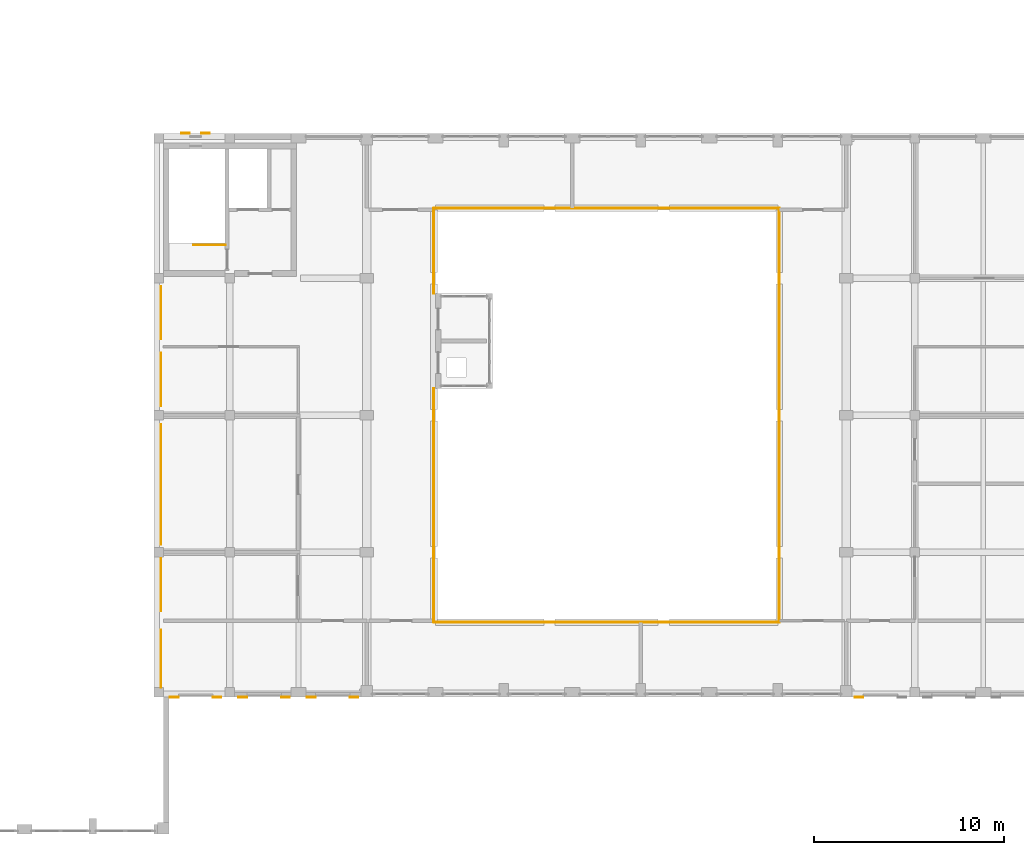
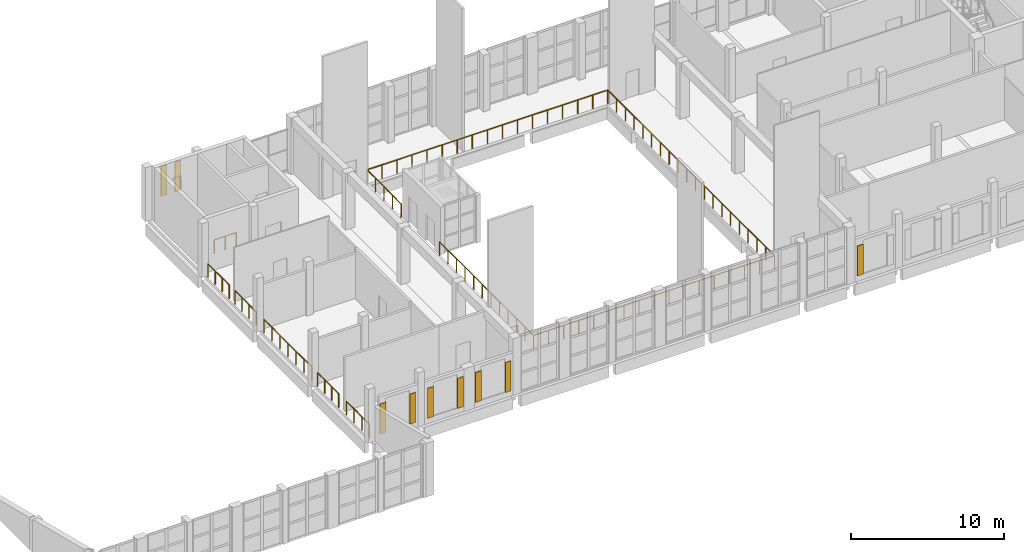
# One storey, part 31 of 54: 11 railings, 9 shading devices.
"""IFC4 building model written with IfcOpenShell, lengths in metres."""

import ifcopenshell
import ifcopenshell.guid

model = None  # the IFC model being written
_history = None  # IfcOwnerHistory: only IFC2X3 demands one
_inside = {}  # id of a spatial element -> (the spatial element, [elements in it])
_under = {}  # id of a project, library or spatial element -> (it, [spatial elements below it])
_declared = {}  # id of a project -> (the project, [libraries it declares])
_typed = {}  # id of a type object -> (the type object, [elements of that type])
_made_of = {}  # id of a material, layer set ... -> (it, [elements and type objects made of it])


def new_model(schema):
    """Start an empty IFC model of exactly this schema.

    Asked for "IFC4X3", IfcOpenShell would pick the latest addendum, in which some entities
    have other attributes; the version numbers below select the first issue.
    IFC2X3 requires an IfcOwnerHistory on every rooted entity: one is made here for all.
    """
    global model, _history
    if schema == "IFC4X3":
        model = ifcopenshell.file(schema_version=(4, 3, 0, 0))
    else:
        model = ifcopenshell.file(schema=schema)
    _inside.clear()
    _under.clear()
    _declared.clear()
    _typed.clear()
    _made_of.clear()
    _history = None
    if model.schema == "IFC2X3":
        org = make("IfcOrganization", Name="unknown")
        user = make(
            "IfcPersonAndOrganization",
            ThePerson=make("IfcPerson", FamilyName="unknown"),
            TheOrganization=org,
        )
        app = make(
            "IfcApplication",
            ApplicationDeveloper=org,
            Version="unknown",
            ApplicationFullName="unknown",
            ApplicationIdentifier="unknown",
        )
        _history = make(
            "IfcOwnerHistory",
            OwningUser=user,
            OwningApplication=app,
            ChangeAction="ADDED",
            CreationDate=0,
        )
    return model


def make(cls, **values):
    """One entity of the class cls with the attributes given. An attribute that is None is left unset."""
    return model.create_entity(
        cls, **{name: value for name, value in values.items() if value is not None}
    )


def rooted(cls, **values):
    """An entity with a GlobalId (a new one), such as an element, a storey or a relation."""
    return make(cls, GlobalId=ifcopenshell.guid.new(), OwnerHistory=_history, **values)


def si_unit(unit_type, name, prefix=None):
    """IfcSIUnit, for example si_unit("LENGTHUNIT", "METRE", prefix="MILLI")."""
    return make("IfcSIUnit", UnitType=unit_type, Prefix=prefix, Name=name)


def assignment(units):
    """IfcUnitAssignment: the units of a project."""
    return None if units is None else make("IfcUnitAssignment", Units=units)


def point(xyz):
    """IfcCartesianPoint."""
    return None if xyz is None else make("IfcCartesianPoint", Coordinates=xyz)


def direction(xyz):
    """IfcDirection."""
    return None if xyz is None else make("IfcDirection", DirectionRatios=xyz)


def frame(location, z_axis=None, x_axis=None):
    """IfcAxis2Placement3D, a coordinate frame: its origin and axes. An axis left out is left unset."""
    return make(
        "IfcAxis2Placement3D",
        Location=point(location),
        Axis=direction(z_axis),
        RefDirection=direction(x_axis),
    )


def frame_2d(location, x_axis=None):
    """IfcAxis2Placement2D, a coordinate frame in the plane: its origin and x axis."""
    return make(
        "IfcAxis2Placement2D", Location=point(location), RefDirection=direction(x_axis)
    )


def origin():
    """The frame at (0, 0, 0) with its axes left unset."""
    return frame((0.0, 0.0, 0.0))


def origin_2d():
    """The frame at (0, 0) in the plane with its x axis left unset."""
    return frame_2d((0.0, 0.0))


def place(relative_to, where):
    """IfcLocalPlacement: puts the frame where relative to a parent placement (None: the world)."""
    return make(
        "IfcLocalPlacement", PlacementRelTo=relative_to, RelativePlacement=where
    )


def context(
    kind, dimensions, precision=None, world=None, true_north=None, identifier=None
):
    """IfcGeometricRepresentationContext, for example the 3D "Model" context."""
    return make(
        "IfcGeometricRepresentationContext",
        ContextIdentifier=identifier,
        ContextType=kind,
        CoordinateSpaceDimension=dimensions,
        Precision=precision,
        WorldCoordinateSystem=world,
        TrueNorth=true_north,
    )


def subcontext(parent, identifier, kind, view, scale=None):
    """IfcGeometricRepresentationSubContext, for example "Body" below "Model"."""
    return make(
        "IfcGeometricRepresentationSubContext",
        ContextIdentifier=identifier,
        ContextType=kind,
        ParentContext=parent,
        TargetScale=scale,
        TargetView=view,
    )


def project(units=None, contexts=None):
    """IfcProject with its units and contexts."""
    return rooted(
        "IfcProject",
        Name="project",
        RepresentationContexts=contexts,
        UnitsInContext=assignment(units),
    )


def spatial(cls, under=None, at=None, **own):
    """A site, building, storey or space (cls), placed at a placement, below another one or the project."""
    s = rooted(cls, ObjectPlacement=at, **own)
    if under is not None:
        _under.setdefault(under.id(), (under, []))[1].append(s)
    return s


def profile(cls, at=None, kind="AREA", **sizes):
    """A parametric profile (cls). Its sizes go by their IFC names, for example OverallWidth=200.0."""
    return make(cls, ProfileType=kind, Position=at, **sizes)


def rectangle(**sizes):
    """IfcRectangleProfileDef."""
    return profile("IfcRectangleProfileDef", **sizes)


def circle(**sizes):
    """IfcCircleProfileDef."""
    return profile("IfcCircleProfileDef", **sizes)


def extrude(swept, where, along, depth):
    """IfcExtrudedAreaSolid: the profile swept, set in the frame where, extruded along a direction by depth."""
    return make(
        "IfcExtrudedAreaSolid",
        SweptArea=swept,
        Position=where,
        ExtrudedDirection=direction(along),
        Depth=depth,
    )


def shape(context_of_items, identifier, shape_type, items):
    """IfcShapeRepresentation: the items that make up one representation, for example the "Body"."""
    return make(
        "IfcShapeRepresentation",
        ContextOfItems=context_of_items,
        RepresentationIdentifier=identifier,
        RepresentationType=shape_type,
        Items=items,
    )


def material(Name=None, Category=None):
    """IfcMaterial."""
    return make("IfcMaterial", Name=Name, Category=Category)


def layer(
    of_material, thickness, ventilated=None, Name=None, Category=None, Priority=None
):
    """IfcMaterialLayer: one layer of a wall or slab, of a material (None: an air gap)."""
    return make(
        "IfcMaterialLayer",
        Material=of_material,
        LayerThickness=thickness,
        IsVentilated=ventilated,
        Name=Name,
        Category=Category,
        Priority=Priority,
    )


def layer_set(layers, Name=None):
    """IfcMaterialLayerSet."""
    return make("IfcMaterialLayerSet", MaterialLayers=layers, LayerSetName=Name)


def made_of(thing, what):
    """Note that an element or type object is made of a material, layer set ...; save() writes the relation."""
    if what is not None:
        _made_of.setdefault(what.id(), (what, []))[1].append(thing)
    return thing


def type_object(cls, material=None, **own):
    """A type object (cls), such as IfcWallType, which elements share."""
    return made_of(rooted(cls, **own), material)


def element(
    cls,
    number,
    at=None,
    inside=None,
    cuts=None,
    type_object=None,
    material=None,
    context=None,
    identifier="Body",
    shape_type=None,
    held_by="IfcProductDefinitionShape",
    body=None,
    shapes=None,
    **own,
):
    """One element of the class cls, such as IfcWall. Its Tag is "e" and its number.

    at: its placement. inside: the storey or other place that contains it. cuts: it is an
    opening in that element (IfcRelVoidsElement). A single representation is given by context,
    identifier, shape_type and body (its items); several are given by shapes. held_by: the class
    of the entity that holds the representations. save() writes the other relations.
    """
    e = rooted(cls, Tag="e%d" % number, ObjectPlacement=at, **own)
    if body is not None:
        shapes = [shape(context, identifier, shape_type, body)]
    if shapes is not None:
        e.Representation = make(held_by, Representations=shapes)
    if inside is not None:
        _inside.setdefault(inside.id(), (inside, []))[1].append(e)
    if cuts is not None:
        rooted(
            "IfcRelVoidsElement", RelatingBuildingElement=cuts, RelatedOpeningElement=e
        )
    if type_object is not None:
        _typed.setdefault(type_object.id(), (type_object, []))[1].append(e)
    return made_of(e, material)


def aggregate(whole, parts):
    """IfcRelAggregates: a whole, such as a stair, and the parts it consists of."""
    return rooted("IfcRelAggregates", RelatingObject=whole, RelatedObjects=parts)


def save(model, path):
    """Write the relations noted so far, then the file.

    IfcRelAggregates (storeys below a building ...), IfcRelContainedInSpatialStructure (elements
    in a storey), IfcRelDefinesByType, IfcRelAssociatesMaterial and IfcRelDeclares: one each for
    every whole, place, type object, material and project.
    """
    for whole, parts in _under.values():
        aggregate(whole, parts)
    for where, things in _inside.values():
        rooted(
            "IfcRelContainedInSpatialStructure",
            RelatedElements=things,
            RelatingStructure=where,
        )
    for kind, things in _typed.values():
        rooted("IfcRelDefinesByType", RelatedObjects=things, RelatingType=kind)
    for what, things in _made_of.values():
        rooted("IfcRelAssociatesMaterial", RelatedObjects=things, RelatingMaterial=what)
    for by, libraries in _declared.values():
        rooted("IfcRelDeclares", RelatingContext=by, RelatedDefinitions=libraries)
    model.write(path)


model = new_model("IFC4")

# Units and contexts
model_context = context("Model", 3, precision=1e-05, world=origin(), true_north=direction((0.0, 1.0)))
body_context = subcontext(model_context, "Body", "Model", "MODEL_VIEW")
ifc_project = project(units=[si_unit("LENGTHUNIT", "METRE"), si_unit("AREAUNIT", "SQUARE_METRE"), si_unit("VOLUMEUNIT", "CUBIC_METRE"), si_unit("PLANEANGLEUNIT", "RADIAN"), si_unit("MASSUNIT", "GRAM", prefix="KILO")], contexts=[model_context])

# Site, building, storey
site_placement = place(None, origin())
site = spatial("IfcSite", under=ifc_project, at=site_placement, CompositionType="ELEMENT")
building_placement = place(site_placement, origin())
building = spatial("IfcBuilding", under=site, at=building_placement, Name="Ussher Court Research Institute", CompositionType="ELEMENT")
storey_placement = place(building_placement, frame((0.0, 0.0, 14.39990234375)))
storey = spatial("IfcBuildingStorey", under=building, at=storey_placement, Name="L03", CompositionType="ELEMENT", Elevation=14.39990234375)

# Railings
ifc_material_1 = material(Name="Painted steel balustrade", Category="steel")
railing_type_1 = type_object("IfcRailingType", Name="Gallery guard 1100 steel balustrade", PredefinedType="GUARDRAIL", material=ifc_material_1)
railing_1_placement = place(storey_placement, frame((42.52001953125, 14.719970703125, 0.0)))
element("IfcRailing", 1, at=railing_1_placement, inside=storey, type_object=railing_type_1, Name="L03 Gallery guard", PredefinedType="GUARDRAIL", context=body_context, shape_type="SweptSolid", body=[
    extrude(circle(Radius=0.02392578125, at=origin_2d()), frame((0.0, 0.0, 1.076171875), z_axis=(1.0, 0.0, 0.0), x_axis=(0.0, 1.0, 0.0)), (0.0, 0.0, 1.0), 18.159912109375),
    extrude(circle(Radius=0.02099609375, at=origin_2d()), origin(), (0.0, 0.0, 1.0), 1.052001953125),
    extrude(circle(Radius=0.02099609375, at=origin_2d()), frame((1.135009765625, 0.0, 0.0)), (0.0, 0.0, 1.0), 1.052001953125),
    extrude(circle(Radius=0.02099609375, at=origin_2d()), frame((2.27001953125, 0.0, 0.0)), (0.0, 0.0, 1.0), 1.052001953125),
    extrude(circle(Radius=0.02099609375, at=origin_2d()), frame((3.405029296875, 0.0, 0.0)), (0.0, 0.0, 1.0), 1.052001953125),
    extrude(circle(Radius=0.02099609375, at=origin_2d()), frame((4.5400390625, 0.0, 0.0)), (0.0, 0.0, 1.0), 1.052001953125),
    extrude(circle(Radius=0.02099609375, at=origin_2d()), frame((5.675048828125, 0.0, 0.0)), (0.0, 0.0, 1.0), 1.052001953125),
    extrude(circle(Radius=0.02099609375, at=origin_2d()), frame((6.81005859375, 0.0, 0.0)), (0.0, 0.0, 1.0), 1.052001953125),
    extrude(circle(Radius=0.02099609375, at=origin_2d()), frame((7.945068359375, 0.0, 0.0)), (0.0, 0.0, 1.0), 1.052001953125),
    extrude(circle(Radius=0.02099609375, at=origin_2d()), frame((9.080078125, 0.0, 0.0)), (0.0, 0.0, 1.0), 1.052001953125),
    extrude(circle(Radius=0.02099609375, at=origin_2d()), frame((10.21484375, 0.0, 0.0)), (0.0, 0.0, 1.0), 1.052001953125),
    extrude(circle(Radius=0.02099609375, at=origin_2d()), frame((11.349853515625, 0.0, 0.0)), (0.0, 0.0, 1.0), 1.052001953125),
    extrude(circle(Radius=0.02099609375, at=origin_2d()), frame((12.48486328125, 0.0, 0.0)), (0.0, 0.0, 1.0), 1.052001953125),
    extrude(circle(Radius=0.02099609375, at=origin_2d()), frame((13.619873046875, 0.0, 0.0)), (0.0, 0.0, 1.0), 1.052001953125),
    extrude(circle(Radius=0.02099609375, at=origin_2d()), frame((14.7548828125, 0.0, 0.0)), (0.0, 0.0, 1.0), 1.052001953125),
    extrude(circle(Radius=0.02099609375, at=origin_2d()), frame((15.889892578125, 0.0, 0.0)), (0.0, 0.0, 1.0), 1.052001953125),
    extrude(circle(Radius=0.02099609375, at=origin_2d()), frame((17.02490234375, 0.0, 0.0)), (0.0, 0.0, 1.0), 1.052001953125),
    extrude(circle(Radius=0.02099609375, at=origin_2d()), frame((18.159912109375, 0.0, 0.0)), (0.0, 0.0, 1.0), 1.052001953125),
])
railing_2_placement = place(storey_placement, frame((60.679931640625, 14.719970703125, 0.0)))
element("IfcRailing", 2, at=railing_2_placement, inside=storey, type_object=railing_type_1, Name="L03 Gallery guard", PredefinedType="GUARDRAIL", context=body_context, shape_type="SweptSolid", body=[
    extrude(circle(Radius=0.02392578125, at=origin_2d()), frame((0.0, 0.0, 1.076171875), z_axis=(0.0, 1.0, 0.0), x_axis=(-1.0, 0.0, 0.0)), (0.0, 0.0, 1.0), 21.760009765625),
    extrude(circle(Radius=0.02099609375, at=origin_2d()), origin(), (0.0, 0.0, 1.0), 1.052001953125),
    extrude(circle(Radius=0.02099609375, at=origin_2d()), frame((0.0, 1.145263671875, 0.0)), (0.0, 0.0, 1.0), 1.052001953125),
    extrude(circle(Radius=0.02099609375, at=origin_2d()), frame((0.0, 2.29052734375, 0.0)), (0.0, 0.0, 1.0), 1.052001953125),
    extrude(circle(Radius=0.02099609375, at=origin_2d()), frame((0.0, 3.435791015625, 0.0)), (0.0, 0.0, 1.0), 1.052001953125),
    extrude(circle(Radius=0.02099609375, at=origin_2d()), frame((0.0, 4.5810546875, 0.0)), (0.0, 0.0, 1.0), 1.052001953125),
    extrude(circle(Radius=0.02099609375, at=origin_2d()), frame((0.0, 5.726318359375, 0.0)), (0.0, 0.0, 1.0), 1.052001953125),
    extrude(circle(Radius=0.02099609375, at=origin_2d()), frame((0.0, 6.87158203125, 0.0)), (0.0, 0.0, 1.0), 1.052001953125),
    extrude(circle(Radius=0.02099609375, at=origin_2d()), frame((0.0, 8.016845703125, 0.0)), (0.0, 0.0, 1.0), 1.052001953125),
    extrude(circle(Radius=0.02099609375, at=origin_2d()), frame((0.0, 9.162109375, 0.0)), (0.0, 0.0, 1.0), 1.052001953125),
    extrude(circle(Radius=0.02099609375, at=origin_2d()), frame((0.0, 10.307373046875, 0.0)), (0.0, 0.0, 1.0), 1.052001953125),
    extrude(circle(Radius=0.02099609375, at=origin_2d()), frame((0.0, 11.45263671875, 0.0)), (0.0, 0.0, 1.0), 1.052001953125),
    extrude(circle(Radius=0.02099609375, at=origin_2d()), frame((0.0, 12.597900390625, 0.0)), (0.0, 0.0, 1.0), 1.052001953125),
    extrude(circle(Radius=0.02099609375, at=origin_2d()), frame((0.0, 13.7431640625, 0.0)), (0.0, 0.0, 1.0), 1.052001953125),
    extrude(circle(Radius=0.02099609375, at=origin_2d()), frame((0.0, 14.888427734375, 0.0)), (0.0, 0.0, 1.0), 1.052001953125),
    extrude(circle(Radius=0.02099609375, at=origin_2d()), frame((0.0, 16.03369140625, 0.0)), (0.0, 0.0, 1.0), 1.052001953125),
    extrude(circle(Radius=0.02099609375, at=origin_2d()), frame((0.0, 17.178955078125, 0.0)), (0.0, 0.0, 1.0), 1.052001953125),
    extrude(circle(Radius=0.02099609375, at=origin_2d()), frame((0.0, 18.32421875, 0.0)), (0.0, 0.0, 1.0), 1.052001953125),
    extrude(circle(Radius=0.02099609375, at=origin_2d()), frame((0.0, 19.469482421875, 0.0)), (0.0, 0.0, 1.0), 1.052001953125),
    extrude(circle(Radius=0.02099609375, at=origin_2d()), frame((0.0, 20.61474609375, 0.0)), (0.0, 0.0, 1.0), 1.052001953125),
    extrude(circle(Radius=0.02099609375, at=origin_2d()), frame((0.0, 21.760009765625, 0.0)), (0.0, 0.0, 1.0), 1.052001953125),
])
railing_3_placement = place(storey_placement, frame((60.679931640625, 36.47998046875, 0.0)))
element("IfcRailing", 3, at=railing_3_placement, inside=storey, type_object=railing_type_1, Name="L03 Gallery guard", PredefinedType="GUARDRAIL", context=body_context, shape_type="SweptSolid", body=[
    extrude(circle(Radius=0.02392578125, at=origin_2d()), frame((0.0, 0.0, 1.076171875), z_axis=(-1.0, 0.0, 0.0), x_axis=(0.0, -1.0, 0.0)), (0.0, 0.0, 1.0), 18.159912109375),
    extrude(circle(Radius=0.02099609375, at=origin_2d()), origin(), (0.0, 0.0, 1.0), 1.052001953125),
    extrude(circle(Radius=0.02099609375, at=origin_2d()), frame((-1.135009765625, 0.0, 0.0)), (0.0, 0.0, 1.0), 1.052001953125),
    extrude(circle(Radius=0.02099609375, at=origin_2d()), frame((-2.27001953125, 0.0, 0.0)), (0.0, 0.0, 1.0), 1.052001953125),
    extrude(circle(Radius=0.02099609375, at=origin_2d()), frame((-3.405029296875, 0.0, 0.0)), (0.0, 0.0, 1.0), 1.052001953125),
    extrude(circle(Radius=0.02099609375, at=origin_2d()), frame((-4.5400390625, 0.0, 0.0)), (0.0, 0.0, 1.0), 1.052001953125),
    extrude(circle(Radius=0.02099609375, at=origin_2d()), frame((-5.675048828125, 0.0, 0.0)), (0.0, 0.0, 1.0), 1.052001953125),
    extrude(circle(Radius=0.02099609375, at=origin_2d()), frame((-6.81005859375, 0.0, 0.0)), (0.0, 0.0, 1.0), 1.052001953125),
    extrude(circle(Radius=0.02099609375, at=origin_2d()), frame((-7.945068359375, 0.0, 0.0)), (0.0, 0.0, 1.0), 1.052001953125),
    extrude(circle(Radius=0.02099609375, at=origin_2d()), frame((-9.080078125, 0.0, 0.0)), (0.0, 0.0, 1.0), 1.052001953125),
    extrude(circle(Radius=0.02099609375, at=origin_2d()), frame((-10.21484375, 0.0, 0.0)), (0.0, 0.0, 1.0), 1.052001953125),
    extrude(circle(Radius=0.02099609375, at=origin_2d()), frame((-11.349853515625, 0.0, 0.0)), (0.0, 0.0, 1.0), 1.052001953125),
    extrude(circle(Radius=0.02099609375, at=origin_2d()), frame((-12.48486328125, 0.0, 0.0)), (0.0, 0.0, 1.0), 1.052001953125),
    extrude(circle(Radius=0.02099609375, at=origin_2d()), frame((-13.619873046875, 0.0, 0.0)), (0.0, 0.0, 1.0), 1.052001953125),
    extrude(circle(Radius=0.02099609375, at=origin_2d()), frame((-14.7548828125, 0.0, 0.0)), (0.0, 0.0, 1.0), 1.052001953125),
    extrude(circle(Radius=0.02099609375, at=origin_2d()), frame((-15.889892578125, 0.0, 0.0)), (0.0, 0.0, 1.0), 1.052001953125),
    extrude(circle(Radius=0.02099609375, at=origin_2d()), frame((-17.02490234375, 0.0, 0.0)), (0.0, 0.0, 1.0), 1.052001953125),
    extrude(circle(Radius=0.02099609375, at=origin_2d()), frame((-18.159912109375, 0.0, 0.0)), (0.0, 0.0, 1.0), 1.052001953125),
])
railing_4_placement = place(storey_placement, frame((42.52001953125, 36.47998046875, 0.0)))
element("IfcRailing", 4, at=railing_4_placement, inside=storey, type_object=railing_type_1, Name="L03 Gallery guard", PredefinedType="GUARDRAIL", context=body_context, shape_type="SweptSolid", body=[
    extrude(circle(Radius=0.02392578125, at=origin_2d()), frame((0.0, 0.0, 1.076171875), z_axis=(0.0, -1.0, 0.0), x_axis=(1.0, 0.0, 0.0)), (0.0, 0.0, 1.0), 4.47998046875),
    extrude(circle(Radius=0.02099609375, at=origin_2d()), origin(), (0.0, 0.0, 1.0), 1.052001953125),
    extrude(circle(Radius=0.02099609375, at=origin_2d()), frame((0.0, -1.1201171875, 0.0)), (0.0, 0.0, 1.0), 1.052001953125),
    extrude(circle(Radius=0.02099609375, at=origin_2d()), frame((0.0, -2.239990234375, 0.0)), (0.0, 0.0, 1.0), 1.052001953125),
    extrude(circle(Radius=0.02099609375, at=origin_2d()), frame((0.0, -3.35986328125, 0.0)), (0.0, 0.0, 1.0), 1.052001953125),
    extrude(circle(Radius=0.02099609375, at=origin_2d()), frame((0.0, -4.47998046875, 0.0)), (0.0, 0.0, 1.0), 1.052001953125),
])
railing_5_placement = place(storey_placement, frame((42.52001953125, 27.0, 0.0)))
element("IfcRailing", 5, at=railing_5_placement, inside=storey, type_object=railing_type_1, Name="L03 Gallery guard", PredefinedType="GUARDRAIL", context=body_context, shape_type="SweptSolid", body=[
    extrude(circle(Radius=0.02392578125, at=origin_2d()), frame((0.0, 0.0, 1.076171875), z_axis=(0.0, -1.0, 0.0), x_axis=(1.0, 0.0, 0.0)), (0.0, 0.0, 1.0), 12.280029296875),
    extrude(circle(Radius=0.02099609375, at=origin_2d()), origin(), (0.0, 0.0, 1.0), 1.052001953125),
    extrude(circle(Radius=0.02099609375, at=origin_2d()), frame((0.0, -1.116455078125, 0.0)), (0.0, 0.0, 1.0), 1.052001953125),
    extrude(circle(Radius=0.02099609375, at=origin_2d()), frame((0.0, -2.232666015625, 0.0)), (0.0, 0.0, 1.0), 1.052001953125),
    extrude(circle(Radius=0.02099609375, at=origin_2d()), frame((0.0, -3.34912109375, 0.0)), (0.0, 0.0, 1.0), 1.052001953125),
    extrude(circle(Radius=0.02099609375, at=origin_2d()), frame((0.0, -4.465576171875, 0.0)), (0.0, 0.0, 1.0), 1.052001953125),
    extrude(circle(Radius=0.02099609375, at=origin_2d()), frame((0.0, -5.581787109375, 0.0)), (0.0, 0.0, 1.0), 1.052001953125),
    extrude(circle(Radius=0.02099609375, at=origin_2d()), frame((0.0, -6.6982421875, 0.0)), (0.0, 0.0, 1.0), 1.052001953125),
    extrude(circle(Radius=0.02099609375, at=origin_2d()), frame((0.0, -7.814453125, 0.0)), (0.0, 0.0, 1.0), 1.052001953125),
    extrude(circle(Radius=0.02099609375, at=origin_2d()), frame((0.0, -8.930908203125, 0.0)), (0.0, 0.0, 1.0), 1.052001953125),
    extrude(circle(Radius=0.02099609375, at=origin_2d()), frame((0.0, -10.04736328125, 0.0)), (0.0, 0.0, 1.0), 1.052001953125),
    extrude(circle(Radius=0.02099609375, at=origin_2d()), frame((0.0, -11.16357421875, 0.0)), (0.0, 0.0, 1.0), 1.052001953125),
    extrude(circle(Radius=0.02099609375, at=origin_2d()), frame((0.0, -12.280029296875, 0.0)), (0.0, 0.0, 1.0), 1.052001953125),
])
railing_6_placement = place(storey_placement, frame((28.179931640625, 11.3017578125, 0.0)))
element("IfcRailing", 6, at=railing_6_placement, inside=storey, type_object=railing_type_1, Name="L03 Gallery guard", PredefinedType="GUARDRAIL", context=body_context, shape_type="SweptSolid", body=[
    extrude(circle(Radius=0.02392578125, at=origin_2d()), frame((0.0, 0.0, 1.076171875), z_axis=(0.0, 1.0, 0.0), x_axis=(-1.0, 0.0, 0.0)), (0.0, 0.0, 1.0), 3.01025390625),
    extrude(circle(Radius=0.02099609375, at=origin_2d()), origin(), (0.0, 0.0, 1.0), 1.052001953125),
    extrude(circle(Radius=0.02099609375, at=origin_2d()), frame((0.0, 1.00341796875, 0.0)), (0.0, 0.0, 1.0), 1.052001953125),
    extrude(circle(Radius=0.02099609375, at=origin_2d()), frame((0.0, 2.0068359375, 0.0)), (0.0, 0.0, 1.0), 1.052001953125),
    extrude(circle(Radius=0.02099609375, at=origin_2d()), frame((0.0, 3.01025390625, 0.0)), (0.0, 0.0, 1.0), 1.052001953125),
])
railing_7_placement = place(storey_placement, frame((28.179931640625, 15.315185546875, 0.0)))
element("IfcRailing", 7, at=railing_7_placement, inside=storey, type_object=railing_type_1, Name="L03 Gallery guard", PredefinedType="GUARDRAIL", context=body_context, shape_type="SweptSolid", body=[
    extrude(circle(Radius=0.02392578125, at=origin_2d()), frame((0.0, 0.0, 1.076171875), z_axis=(0.0, 1.0, 0.0), x_axis=(-1.0, 0.0, 0.0)), (0.0, 0.0, 1.0), 2.759521484375),
    extrude(circle(Radius=0.02099609375, at=origin_2d()), origin(), (0.0, 0.0, 1.0), 1.052001953125),
    extrude(circle(Radius=0.02099609375, at=origin_2d()), frame((0.0, 0.919921875, 0.0)), (0.0, 0.0, 1.0), 1.052001953125),
    extrude(circle(Radius=0.02099609375, at=origin_2d()), frame((0.0, 1.839599609375, 0.0)), (0.0, 0.0, 1.0), 1.052001953125),
    extrude(circle(Radius=0.02099609375, at=origin_2d()), frame((0.0, 2.759521484375, 0.0)), (0.0, 0.0, 1.0), 1.052001953125),
])
railing_8_placement = place(storey_placement, frame((28.179931640625, 18.8271484375, 0.0)))
element("IfcRailing", 8, at=railing_8_placement, inside=storey, type_object=railing_type_1, Name="L03 Gallery guard", PredefinedType="GUARDRAIL", context=body_context, shape_type="SweptSolid", body=[
    extrude(circle(Radius=0.02392578125, at=origin_2d()), frame((0.0, 0.0, 1.076171875), z_axis=(0.0, 1.0, 0.0), x_axis=(-1.0, 0.0, 0.0)), (0.0, 0.0, 1.0), 6.271240234375),
    extrude(circle(Radius=0.02099609375, at=origin_2d()), origin(), (0.0, 0.0, 1.0), 1.052001953125),
    extrude(circle(Radius=0.02099609375, at=origin_2d()), frame((0.0, 1.045166015625, 0.0)), (0.0, 0.0, 1.0), 1.052001953125),
    extrude(circle(Radius=0.02099609375, at=origin_2d()), frame((0.0, 2.09033203125, 0.0)), (0.0, 0.0, 1.0), 1.052001953125),
    extrude(circle(Radius=0.02099609375, at=origin_2d()), frame((0.0, 3.1357421875, 0.0)), (0.0, 0.0, 1.0), 1.052001953125),
    extrude(circle(Radius=0.02099609375, at=origin_2d()), frame((0.0, 4.180908203125, 0.0)), (0.0, 0.0, 1.0), 1.052001953125),
    extrude(circle(Radius=0.02099609375, at=origin_2d()), frame((0.0, 5.22607421875, 0.0)), (0.0, 0.0, 1.0), 1.052001953125),
    extrude(circle(Radius=0.02099609375, at=origin_2d()), frame((0.0, 6.271240234375, 0.0)), (0.0, 0.0, 1.0), 1.052001953125),
])
for number, where, name in (
    (9, (28.179931640625, 26.101806640625, 0.0), "L03 Gallery guard"),
    (10, (28.179931640625, 29.613525390625, 0.0), "L03 Gallery guard"),
):
    element("IfcRailing", number, at=place(storey_placement, frame(where)), inside=storey, type_object=railing_type_1, Name=name, PredefinedType="GUARDRAIL", context=body_context, shape_type="SweptSolid", body=[
        extrude(circle(Radius=0.02392578125, at=origin_2d()), frame((0.0, 0.0, 1.076171875), z_axis=(0.0, 1.0, 0.0), x_axis=(-1.0, 0.0, 0.0)), (0.0, 0.0, 1.0), 2.75927734375),
        extrude(circle(Radius=0.02099609375, at=origin_2d()), origin(), (0.0, 0.0, 1.0), 1.052001953125),
        extrude(circle(Radius=0.02099609375, at=origin_2d()), frame((0.0, 0.919677734375, 0.0)), (0.0, 0.0, 1.0), 1.052001953125),
        extrude(circle(Radius=0.02099609375, at=origin_2d()), frame((0.0, 1.839599609375, 0.0)), (0.0, 0.0, 1.0), 1.052001953125),
        extrude(circle(Radius=0.02099609375, at=origin_2d()), frame((0.0, 2.75927734375, 0.0)), (0.0, 0.0, 1.0), 1.052001953125),
    ])

# Shading devices
ifc_material_2 = material(Name="Timber louvred shutter", Category="wood")
ifc_layer = layer(ifc_material_2, 0.0400390625)
ifc_layer_set = layer_set([ifc_layer], Name="Timber louvred shutter")
shading_device_type = type_object("IfcShadingDeviceType", Name="Louvred shutter leaf 450x2400", PredefinedType="USERDEFINED", material=ifc_layer_set)
for number, where, z_axis, x_axis, name in (
    (11, (29.47509765625, 40.419921875, 1.2001953125), (0.0, 0.0, 1.0), (1.0, 0.0, 0.0), "Shutter LV2 L03"),
    (12, (30.52490234375, 40.419921875, 1.2001953125), (0.0, 0.0, 1.0), (1.0, 0.0, 0.0), "Shutter LV2 L03"),
    (13, (64.875, 10.780029296875, 0.4501953125), (0.0, 0.0, 1.0), (-1.0, 0.0, 0.0), "Shutter LV2 L03"),
    (14, (38.324951171875, 10.780029296875, 0.4501953125), (0.0, 0.0, 1.0), (-1.0, 0.0, 0.0), "Shutter LV2 L03"),
    (15, (36.074951171875, 10.780029296875, 0.4501953125), (0.0, 0.0, 1.0), (-1.0, 0.0, 0.0), "Shutter LV2 L03"),
    (16, (34.72509765625, 10.780029296875, 0.4501953125), (0.0, 0.0, 1.0), (-1.0, 0.0, 0.0), "Shutter LV2 L03"),
    (17, (32.47509765625, 10.780029296875, 0.4501953125), (0.0, 0.0, 1.0), (-1.0, 0.0, 0.0), "Shutter LV2 L03"),
    (18, (31.125, 10.780029296875, 0.4501953125), (0.0, 0.0, 1.0), (-1.0, 0.0, 0.0), "Shutter LV2 L03"),
    (19, (28.875, 10.780029296875, 0.4501953125), (0.0, 0.0, 1.0), (-1.0, 0.0, 0.0), "Shutter LV2 L03"),
):
    element("IfcShadingDevice", number, at=place(storey_placement, frame(where, z_axis=z_axis, x_axis=x_axis)), inside=storey, type_object=shading_device_type, Name=name, ObjectType="SHUTTER", PredefinedType="USERDEFINED", context=body_context, shape_type="SweptSolid", body=[
        extrude(rectangle(XDim=0.449951171875, YDim=0.0400390625, at=origin_2d()), origin(), (0.0, 0.0, 1.0), 2.39990234375),
    ])

# Railing
ifc_material_3 = material(Name="Painted steel balustrade", Category="steel")
railing_type_2 = type_object("IfcRailingType", Name="Stair guard 1100 steel balustrade", PredefinedType="GUARDRAIL", material=ifc_material_3)
railing_9_placement = place(storey_placement, frame((31.550048828125, 34.550048828125, 0.0)))
element("IfcRailing", 20, at=railing_9_placement, inside=storey, type_object=railing_type_2, Name="L03 W1 top well guard 1", PredefinedType="GUARDRAIL", context=body_context, shape_type="SweptSolid", body=[
    extrude(circle(Radius=0.02392578125, at=origin_2d()), frame((0.0, 0.0, 1.076171875), z_axis=(-1.0, 0.0, 0.0), x_axis=(0.0, -1.0, 0.0)), (0.0, 0.0, 1.0), 1.650146484375),
    extrude(circle(Radius=0.02099609375, at=origin_2d()), origin(), (0.0, 0.0, 1.0), 1.052001953125),
    extrude(circle(Radius=0.02099609375, at=origin_2d()), frame((-0.8251953125, 0.0, 0.0)), (0.0, 0.0, 1.0), 1.052001953125),
    extrude(circle(Radius=0.02099609375, at=origin_2d()), frame((-1.650146484375, 0.0, 0.0)), (0.0, 0.0, 1.0), 1.052001953125),
])

save(model, "model.ifc")
